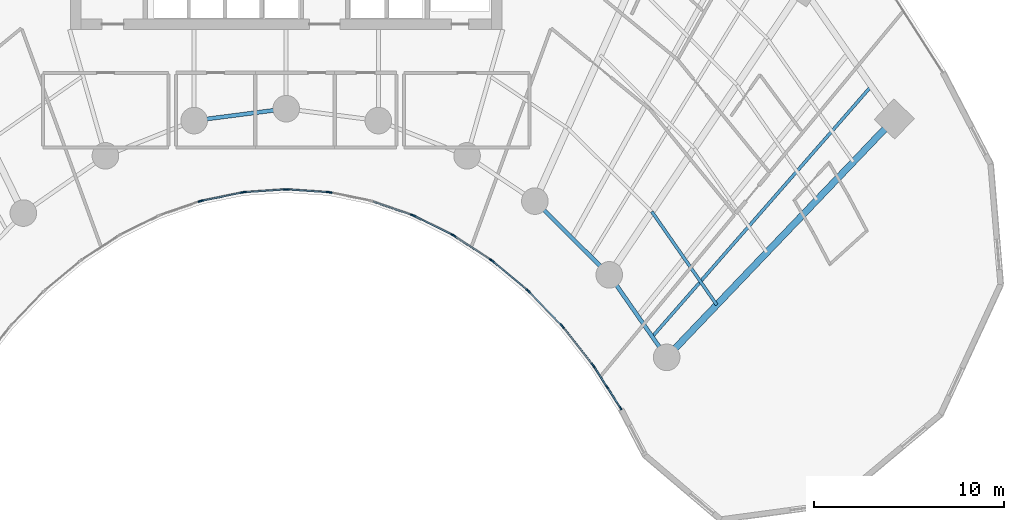
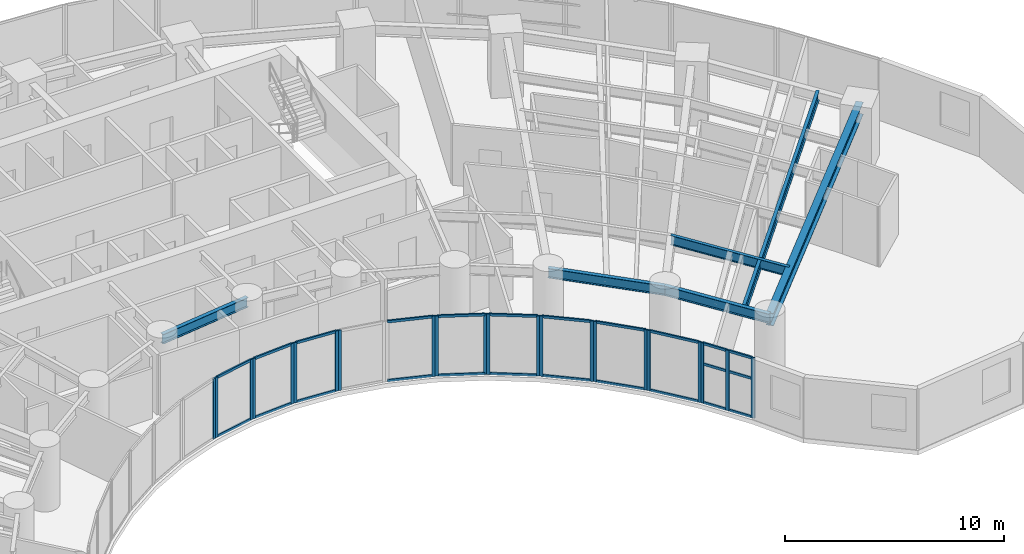
# One storey, part 4 of 17: 46 members, 6 beams, 12 elements without a shape of their own.
"""IFC4 building model written with IfcOpenShell, lengths in metres."""

from ifc_helpers import new_model, si_unit, direction, frame, origin, origin_2d, place, context, subcontext, project, spatial, rectangle, i_section, extrude, source, transform, mapped, material, layer, layer_set, material_profile, profile_set, type_object, type_shapes, element, aggregate, save


model = new_model("IFC4")

# Units and contexts
model_context = context("Model", 3, precision=1e-05, world=origin(), true_north=direction((0.0, 1.0)))
body_context = subcontext(model_context, "Body", "Model", "MODEL_VIEW")
ifc_project = project(units=[si_unit("LENGTHUNIT", "METRE"), si_unit("AREAUNIT", "SQUARE_METRE"), si_unit("VOLUMEUNIT", "CUBIC_METRE"), si_unit("PLANEANGLEUNIT", "RADIAN"), si_unit("MASSUNIT", "GRAM", prefix="KILO")], contexts=[model_context])

# Site, building, storey
site_placement = place(None, origin())
site = spatial("IfcSite", under=ifc_project, at=site_placement, CompositionType="ELEMENT")
building_placement = place(site_placement, origin())
building = spatial("IfcBuilding", under=site, at=building_placement, Name="Breltana Convention Tower", CompositionType="ELEMENT")
storey_placement = place(building_placement, frame((0.0, 0.0, 49.800048828125)))
storey = spatial("IfcBuildingStorey", under=building, at=storey_placement, Name="L10", CompositionType="ELEMENT", Elevation=49.800048828125)

# Beams
ifc_material_1 = material(Name="Steel ASTM A992 Grade 50", Category="steel")
ifc_material_profile_1 = material_profile(ifc_material_1, i_section(OverallWidth=0.35498046875, OverallDepth=0.696044921875, WebThickness=0.015380859375, FlangeThickness=0.02490234375, at=origin_2d()), Name="W27X146")
ifc_profile_set_1 = profile_set([ifc_material_profile_1], Name="Steel ASTM A992 Grade 50")
beam_type_1 = type_object("IfcBeamType", Name="BM-RG-W27X146", PredefinedType="USERDEFINED", material=ifc_profile_set_1)
shared_shape_1 = source(origin(), body_context, "Body", "SweptSolid", [
    extrude(i_section(OverallWidth=0.35498046875, OverallDepth=0.696044921875, WebThickness=0.015380859375, FlangeThickness=0.02490234375, at=origin_2d()), origin(), (0.0, 0.0, 1.0), 17.341064453125),
])
type_shapes(beam_type_1, [shared_shape_1])
beam_1_placement = place(storey_placement, frame((68.015380859375, 42.95458984375, 3.011962890625), z_axis=(0.690716462293, 0.723125693581, 0.0), x_axis=(-0.723125693581, 0.690716462293, 0.0)))
element("IfcBeam", 1, at=beam_1_placement, inside=storey, type_object=beam_type_1, Name="L10 Radial Floor Girder R11", ObjectType="GIRDER", PredefinedType="USERDEFINED", context=body_context, shape_type="MappedRepresentation", body=[
    mapped(shared_shape_1, transform((0.0, 0.0, 0.0), scale=1.0)),
])
ifc_material_profile_2 = material_profile(ifc_material_1, i_section(OverallWidth=0.2099609375, OverallDepth=0.537109375, WebThickness=0.010986328125, FlangeThickness=0.017333984375, at=origin_2d()), Name="W21X68")
ifc_profile_set_2 = profile_set([ifc_material_profile_2], Name="Steel ASTM A992 Grade 50")
beam_type_2 = type_object("IfcBeamType", Name="BM-BM-W21X68", PredefinedType="BEAM", material=ifc_profile_set_2)
shared_shape_2 = source(origin(), body_context, "Body", "SweptSolid", [
    extrude(i_section(OverallWidth=0.2099609375, OverallDepth=0.537109375, WebThickness=0.010986328125, FlangeThickness=0.017333984375, at=origin_2d()), origin(), (0.0, 0.0, 1.0), 4.88671875),
])
beam_2_placement = place(storey_placement, frame((43.153564453125, 55.41064453125, 3.091552734375), z_axis=(0.991780525565, 0.127950729231, 0.0), x_axis=(-0.127950729231, 0.991780525565, 0.0)))
element("IfcBeam", 2, at=beam_2_placement, inside=storey, type_object=beam_type_2, Name="L10 Inner Ring Beam 05", PredefinedType="BEAM", context=body_context, shape_type="MappedRepresentation", body=[
    mapped(shared_shape_2, transform((0.0, 0.0, 0.0), scale=1.0)),
])
shared_shape_3 = source(origin(), body_context, "Body", "SweptSolid", [
    extrude(i_section(OverallWidth=0.2099609375, OverallDepth=0.537109375, WebThickness=0.010986328125, FlangeThickness=0.017333984375, at=origin_2d()), origin(), (0.0, 0.0, 1.0), 5.51171875),
])
beam_3_placement = place(storey_placement, frame((61.08203125, 51.174560546875, 3.091552734375), z_axis=(0.710090360749, -0.704110559196, 0.0), x_axis=(0.704110559196, 0.710090360749, 0.0)))
element("IfcBeam", 3, at=beam_3_placement, inside=storey, type_object=beam_type_2, Name="L10 Inner Ring Beam 09", PredefinedType="BEAM", context=body_context, shape_type="MappedRepresentation", body=[
    mapped(shared_shape_3, transform((0.0, 0.0, 0.0), scale=1.0)),
])
shared_shape_4 = source(origin(), body_context, "Body", "SweptSolid", [
    extrude(i_section(OverallWidth=0.2099609375, OverallDepth=0.537109375, WebThickness=0.010986328125, FlangeThickness=0.017333984375, at=origin_2d()), origin(), (0.0, 0.0, 1.0), 5.286376953125),
])
beam_4_placement = place(storey_placement, frame((64.995849609375, 47.293701171875, 3.091552734375), z_axis=(0.571194382458, -0.82081482531, 0.0), x_axis=(0.82081482531, 0.571194382458, 0.0)))
element("IfcBeam", 4, at=beam_4_placement, inside=storey, type_object=beam_type_2, Name="L10 Inner Ring Beam 10", PredefinedType="BEAM", context=body_context, shape_type="MappedRepresentation", body=[
    mapped(shared_shape_4, transform((0.0, 0.0, 0.0), scale=1.0)),
])
ifc_material_profile_3 = material_profile(ifc_material_1, i_section(OverallWidth=0.166015625, OverallDepth=0.534912109375, WebThickness=0.01025390625, FlangeThickness=0.0166015625, at=origin_2d()), Name="W21X57")
ifc_profile_set_3 = profile_set([ifc_material_profile_3], Name="Steel ASTM A992 Grade 50")
beam_type_3 = type_object("IfcBeamType", Name="BM-JSG-05", PredefinedType="JOIST", material=ifc_profile_set_3)
shared_shape_5 = source(origin(), body_context, "Body", "SweptSolid", [
    extrude(i_section(OverallWidth=0.166015625, OverallDepth=0.534912109375, WebThickness=0.01025390625, FlangeThickness=0.0166015625, at=origin_2d()), origin(), (0.0, 0.0, 1.0), 5.982421875),
])
beam_5_placement = place(storey_placement, frame((67.2333984375, 50.623779296875, 3.092529296875), z_axis=(0.571211549446, -0.82080287876, 0.0), x_axis=(0.82080287876, 0.571211549446, 0.0)))
element("IfcBeam", 5, at=beam_5_placement, inside=storey, type_object=beam_type_3, Name="L10 Composite Floor Joist 10.1", PredefinedType="JOIST", context=body_context, shape_type="MappedRepresentation", body=[
    mapped(shared_shape_5, transform((0.0, 0.0, 0.0), scale=1.0)),
])
shared_shape_6 = source(origin(), body_context, "Body", "SweptSolid", [
    extrude(i_section(OverallWidth=0.166015625, OverallDepth=0.534912109375, WebThickness=0.01025390625, FlangeThickness=0.0166015625, at=origin_2d()), origin(), (0.0, 0.0, 1.0), 17.515625),
])
beam_6_placement = place(storey_placement, frame((67.260498046875, 44.03955078125, 3.092529296875), z_axis=(0.658051548324, 0.752972881151, 0.0), x_axis=(-0.752972881151, 0.658051548324, 0.0)))
element("IfcBeam", 6, at=beam_6_placement, inside=storey, type_object=beam_type_3, Name="L10 Quarter-Bay Radial Trimmer 10", PredefinedType="JOIST", context=body_context, shape_type="MappedRepresentation", body=[
    mapped(shared_shape_6, transform((0.0, 0.0, 0.0), scale=1.0)),
])

# Curtain wall, members
ifc_material_2 = material(Name="Aluminium Anodised Bronze Frame", Category="aluminium")
ifc_layer = layer(ifc_material_2, 0.18994140625, Name="Aluminium Anodised Bronze Frame")
ifc_layer_set = layer_set([ifc_layer], Name="Aluminium Anodised Bronze Frame")
curtain_wall_type = type_object("IfcCurtainWallType", Name="CW-SYS-1", PredefinedType="NOTDEFINED", material=ifc_layer_set)
curtain_wall_1_placement = place(storey_placement, origin())
curtain_wall_1 = element("IfcCurtainWall", 7, at=curtain_wall_1_placement, inside=storey, type_object=curtain_wall_type, Name="L10 inner south-court glazing 3", PredefinedType="NOTDEFINED")
ifc_material_3 = material(Name="Aluminium Anodised Bronze", Category="aluminium")
ifc_material_profile_4 = material_profile(ifc_material_3, rectangle(XDim=0.080078125, YDim=0.139892578125, at=origin_2d()), Name="CWT-80X140")
ifc_profile_set_4 = profile_set([ifc_material_profile_4], Name="Aluminium Anodised Bronze")
member_type_1 = type_object("IfcMemberType", Name="CWT-140", PredefinedType="USERDEFINED", material=ifc_profile_set_4)
shared_shape_7 = source(origin(), body_context, "Body", "SweptSolid", [
    extrude(rectangle(XDim=0.080078125, YDim=0.139892578125, at=origin_2d()), origin(), (0.0, 0.0, 1.0), 2.38720703125),
])
type_shapes(member_type_1, [shared_shape_7])
member_1_placement = place(storey_placement, frame((62.4560546875, 44.667724609375, 0.0400390625), z_axis=(-0.694623715393, 0.719373264734, 0.0), x_axis=(-0.719373264734, -0.694623715393, 0.0)))
member_1 = element("IfcMember", 8, at=member_1_placement, type_object=member_type_1, Name="CW-01 transom 1.1", ObjectType="TRANSOM", PredefinedType="USERDEFINED", context=body_context, shape_type="MappedRepresentation", body=[
    mapped(shared_shape_7, transform((0.0, 0.0, 0.0), scale=1.0)),
])
member_2_placement = place(storey_placement, frame((62.4560546875, 44.667724609375, 3.320068359375), z_axis=(-0.694623715393, 0.719373264734, 0.0), x_axis=(-0.719373264734, -0.694623715393, 0.0)))
member_2 = element("IfcMember", 9, at=member_2_placement, type_object=member_type_1, Name="CW-01 transom 1.2", ObjectType="TRANSOM", PredefinedType="USERDEFINED", context=body_context, shape_type="MappedRepresentation", body=[
    mapped(shared_shape_7, transform((0.0, 0.0, 0.0), scale=1.0)),
])

curtain_wall_2_placement = place(storey_placement, origin())
curtain_wall_2 = element("IfcCurtainWall", 10, at=curtain_wall_2_placement, inside=storey, type_object=curtain_wall_type, Name="L10 inner south-court glazing 4", PredefinedType="NOTDEFINED")
shared_shape_8 = source(origin(), body_context, "Body", "SweptSolid", [
    extrude(rectangle(XDim=0.080078125, YDim=0.139892578125, at=origin_2d()), origin(), (0.0, 0.0, 1.0), 2.312255859375),
])
member_3_placement = place(storey_placement, frame((60.666748046875, 46.5068359375, 0.0400390625), z_axis=(-0.767900974507, 0.640568570374, 0.0), x_axis=(-0.640568570374, -0.767900974507, 0.0)))
member_3 = element("IfcMember", 11, at=member_3_placement, type_object=member_type_1, Name="CW-01 transom 1.1", ObjectType="TRANSOM", PredefinedType="USERDEFINED", context=body_context, shape_type="MappedRepresentation", body=[
    mapped(shared_shape_8, transform((0.0, 0.0, 0.0), scale=1.0)),
])
member_4_placement = place(storey_placement, frame((60.666748046875, 46.5068359375, 3.320068359375), z_axis=(-0.767900974507, 0.640568570374, 0.0), x_axis=(-0.640568570374, -0.767900974507, 0.0)))
member_4 = element("IfcMember", 12, at=member_4_placement, type_object=member_type_1, Name="CW-01 transom 1.2", ObjectType="TRANSOM", PredefinedType="USERDEFINED", context=body_context, shape_type="MappedRepresentation", body=[
    mapped(shared_shape_8, transform((0.0, 0.0, 0.0), scale=1.0)),
])

curtain_wall_3_placement = place(storey_placement, origin())
curtain_wall_3 = element("IfcCurtainWall", 13, at=curtain_wall_3_placement, inside=storey, type_object=curtain_wall_type, Name="L10 inner south-court glazing 5", PredefinedType="NOTDEFINED")
shared_shape_9 = source(origin(), body_context, "Body", "SweptSolid", [
    extrude(rectangle(XDim=0.080078125, YDim=0.139892578125, at=origin_2d()), origin(), (0.0, 0.0, 1.0), 2.2421875),
])
member_5_placement = place(storey_placement, frame((58.746337890625, 48.095458984375, 0.0400390625), z_axis=(-0.835982353773, 0.548756324957, 0.0), x_axis=(-0.548756324957, -0.835982353773, 0.0)))
member_5 = element("IfcMember", 14, at=member_5_placement, type_object=member_type_1, Name="CW-01 transom 1.1", ObjectType="TRANSOM", PredefinedType="USERDEFINED", context=body_context, shape_type="MappedRepresentation", body=[
    mapped(shared_shape_9, transform((0.0, 0.0, 0.0), scale=1.0)),
])
member_6_placement = place(storey_placement, frame((58.746337890625, 48.095458984375, 3.320068359375), z_axis=(-0.835982353773, 0.548756324957, 0.0), x_axis=(-0.548756324957, -0.835982353773, 0.0)))
member_6 = element("IfcMember", 15, at=member_6_placement, type_object=member_type_1, Name="CW-01 transom 1.2", ObjectType="TRANSOM", PredefinedType="USERDEFINED", context=body_context, shape_type="MappedRepresentation", body=[
    mapped(shared_shape_9, transform((0.0, 0.0, 0.0), scale=1.0)),
])

curtain_wall_4_placement = place(storey_placement, origin())
curtain_wall_4 = element("IfcCurtainWall", 16, at=curtain_wall_4_placement, inside=storey, type_object=curtain_wall_type, Name="L10 inner south-court glazing 6", PredefinedType="NOTDEFINED")
shared_shape_10 = source(origin(), body_context, "Body", "SweptSolid", [
    extrude(rectangle(XDim=0.080078125, YDim=0.139892578125, at=origin_2d()), origin(), (0.0, 0.0, 1.0), 2.180908203125),
])
member_7_placement = place(storey_placement, frame((56.71435546875, 49.416015625, 0.0400390625), z_axis=(-0.895922266369, 0.444210865045, 0.0), x_axis=(-0.444210865045, -0.895922266369, 0.0)))
member_7 = element("IfcMember", 17, at=member_7_placement, type_object=member_type_1, Name="CW-01 transom 1.1", ObjectType="TRANSOM", PredefinedType="USERDEFINED", context=body_context, shape_type="MappedRepresentation", body=[
    mapped(shared_shape_10, transform((0.0, 0.0, 0.0), scale=1.0)),
])
member_8_placement = place(storey_placement, frame((56.71435546875, 49.416015625, 3.320068359375), z_axis=(-0.895922266369, 0.444210865045, 0.0), x_axis=(-0.444210865045, -0.895922266369, 0.0)))
member_8 = element("IfcMember", 18, at=member_8_placement, type_object=member_type_1, Name="CW-01 transom 1.2", ObjectType="TRANSOM", PredefinedType="USERDEFINED", context=body_context, shape_type="MappedRepresentation", body=[
    mapped(shared_shape_10, transform((0.0, 0.0, 0.0), scale=1.0)),
])

curtain_wall_5_placement = place(storey_placement, origin())
curtain_wall_5 = element("IfcCurtainWall", 19, at=curtain_wall_5_placement, inside=storey, type_object=curtain_wall_type, Name="L10 inner south-court glazing 9", PredefinedType="NOTDEFINED")
shared_shape_11 = source(origin(), body_context, "Body", "SweptSolid", [
    extrude(rectangle(XDim=0.080078125, YDim=0.139892578125, at=origin_2d()), origin(), (0.0, 0.0, 1.0), 2.07861328125),
])
member_9_placement = place(storey_placement, frame((50.165771484375, 51.6474609375, 0.0400390625), z_axis=(-0.997708627147, 0.067657189691, 0.0), x_axis=(-0.067657189691, -0.997708627147, 0.0)))
member_9 = element("IfcMember", 20, at=member_9_placement, type_object=member_type_1, Name="CW-01 transom 1.1", ObjectType="TRANSOM", PredefinedType="USERDEFINED", context=body_context, shape_type="MappedRepresentation", body=[
    mapped(shared_shape_11, transform((0.0, 0.0, 0.0), scale=1.0)),
])
member_10_placement = place(storey_placement, frame((50.165771484375, 51.6474609375, 3.320068359375), z_axis=(-0.997708627147, 0.067657189691, 0.0), x_axis=(-0.067657189691, -0.997708627147, 0.0)))
member_10 = element("IfcMember", 21, at=member_10_placement, type_object=member_type_1, Name="CW-01 transom 1.2", ObjectType="TRANSOM", PredefinedType="USERDEFINED", context=body_context, shape_type="MappedRepresentation", body=[
    mapped(shared_shape_11, transform((0.0, 0.0, 0.0), scale=1.0)),
])

curtain_wall_6_placement = place(storey_placement, origin())
curtain_wall_6 = element("IfcCurtainWall", 22, at=curtain_wall_6_placement, inside=storey, type_object=curtain_wall_type, Name="L10 inner south-court glazing 10", PredefinedType="NOTDEFINED")
member_11_placement = place(storey_placement, frame((47.907958984375, 51.7880859375, 0.0400390625), z_axis=(-0.997708627147, -0.067657189691, 0.0), x_axis=(0.067657189691, -0.997708627147, 0.0)))
member_11 = element("IfcMember", 23, at=member_11_placement, type_object=member_type_1, Name="CW-01 transom 1.1", ObjectType="TRANSOM", PredefinedType="USERDEFINED", context=body_context, shape_type="MappedRepresentation", body=[
    mapped(shared_shape_11, transform((0.0, 0.0, 0.0), scale=1.0)),
])
member_12_placement = place(storey_placement, frame((47.907958984375, 51.7880859375, 3.320068359375), z_axis=(-0.997708627147, -0.067657189691, 0.0), x_axis=(0.067657189691, -0.997708627147, 0.0)))
member_12 = element("IfcMember", 24, at=member_12_placement, type_object=member_type_1, Name="CW-01 transom 1.2", ObjectType="TRANSOM", PredefinedType="USERDEFINED", context=body_context, shape_type="MappedRepresentation", body=[
    mapped(shared_shape_11, transform((0.0, 0.0, 0.0), scale=1.0)),
])

curtain_wall_7_placement = place(storey_placement, origin())
curtain_wall_7 = element("IfcCurtainWall", 25, at=curtain_wall_7_placement, inside=storey, type_object=curtain_wall_type, Name="L10 inner south-court glazing 2", PredefinedType="NOTDEFINED")
shared_shape_12 = source(origin(), body_context, "Body", "SweptSolid", [
    extrude(rectangle(XDim=0.080078125, YDim=0.139892578125, at=origin_2d()), origin(), (0.0, 0.0, 1.0), 2.4638671875),
])
member_13_placement = place(storey_placement, frame((64.09619140625, 42.5966796875, 0.0400390625), z_axis=(-0.618184689608, 0.786032880695, 0.0), x_axis=(-0.786032880695, -0.618184689608, 0.0)))
member_13 = element("IfcMember", 26, at=member_13_placement, type_object=member_type_1, Name="CW-01 transom 1.1", ObjectType="TRANSOM", PredefinedType="USERDEFINED", context=body_context, shape_type="MappedRepresentation", body=[
    mapped(shared_shape_12, transform((0.0, 0.0, 0.0), scale=1.0)),
])
member_14_placement = place(storey_placement, frame((64.09619140625, 42.5966796875, 3.320068359375), z_axis=(-0.618184689608, 0.786032880695, 0.0), x_axis=(-0.786032880695, -0.618184689608, 0.0)))
member_14 = element("IfcMember", 27, at=member_14_placement, type_object=member_type_1, Name="CW-01 transom 1.2", ObjectType="TRANSOM", PredefinedType="USERDEFINED", context=body_context, shape_type="MappedRepresentation", body=[
    mapped(shared_shape_12, transform((0.0, 0.0, 0.0), scale=1.0)),
])

curtain_wall_8_placement = place(storey_placement, origin())
curtain_wall_8 = element("IfcCurtainWall", 28, at=curtain_wall_8_placement, inside=storey, type_object=curtain_wall_type, Name="L10 inner south-court glazing 1", PredefinedType="NOTDEFINED")
shared_shape_13 = source(origin(), body_context, "Body", "SweptSolid", [
    extrude(rectangle(XDim=0.080078125, YDim=0.139892578125, at=origin_2d()), origin(), (0.0, 0.0, 1.0), 1.229736328125),
])
member_15_placement = place(storey_placement, frame((65.57080078125, 40.315185546875, 0.0400390625), z_axis=(-0.540185543357, 0.841545945714, 0.0), x_axis=(-0.841545945714, -0.540185543357, 0.0)))
member_15 = element("IfcMember", 29, at=member_15_placement, type_object=member_type_1, Name="CW-01 transom 1.1", ObjectType="TRANSOM", PredefinedType="USERDEFINED", context=body_context, shape_type="MappedRepresentation", body=[
    mapped(shared_shape_13, transform((0.0, 0.0, 0.0), scale=1.0)),
])
member_16_placement = place(storey_placement, frame((65.57080078125, 40.315185546875, 2.183837890625), z_axis=(-0.540185543357, 0.841545945714, 0.0), x_axis=(-0.841545945714, -0.540185543357, 0.0)))
member_16 = element("IfcMember", 30, at=member_16_placement, type_object=member_type_1, Name="CW-01 transom 1.2", ObjectType="TRANSOM", PredefinedType="USERDEFINED", context=body_context, shape_type="MappedRepresentation", body=[
    mapped(shared_shape_13, transform((0.0, 0.0, 0.0), scale=1.0)),
])
member_17_placement = place(storey_placement, frame((65.57080078125, 40.315185546875, 3.320068359375), z_axis=(-0.540185543357, 0.841545945714, 0.0), x_axis=(-0.841545945714, -0.540185543357, 0.0)))
member_17 = element("IfcMember", 31, at=member_17_placement, type_object=member_type_1, Name="CW-01 transom 1.3", ObjectType="TRANSOM", PredefinedType="USERDEFINED", context=body_context, shape_type="MappedRepresentation", body=[
    mapped(shared_shape_13, transform((0.0, 0.0, 0.0), scale=1.0)),
])
member_18_placement = place(storey_placement, frame((64.86328125, 41.41748046875, 0.0400390625), z_axis=(-0.540185543357, 0.841545945714, 0.0), x_axis=(-0.841545945714, -0.540185543357, 0.0)))
member_18 = element("IfcMember", 32, at=member_18_placement, type_object=member_type_1, Name="CW-01 transom 2.1", ObjectType="TRANSOM", PredefinedType="USERDEFINED", context=body_context, shape_type="MappedRepresentation", body=[
    mapped(shared_shape_13, transform((0.0, 0.0, 0.0), scale=1.0)),
])
member_19_placement = place(storey_placement, frame((64.86328125, 41.41748046875, 2.183837890625), z_axis=(-0.540185543357, 0.841545945714, 0.0), x_axis=(-0.841545945714, -0.540185543357, 0.0)))
member_19 = element("IfcMember", 33, at=member_19_placement, type_object=member_type_1, Name="CW-01 transom 2.2", ObjectType="TRANSOM", PredefinedType="USERDEFINED", context=body_context, shape_type="MappedRepresentation", body=[
    mapped(shared_shape_13, transform((0.0, 0.0, 0.0), scale=1.0)),
])
member_20_placement = place(storey_placement, frame((64.86328125, 41.41748046875, 3.320068359375), z_axis=(-0.540185543357, 0.841545945714, 0.0), x_axis=(-0.841545945714, -0.540185543357, 0.0)))
member_20 = element("IfcMember", 34, at=member_20_placement, type_object=member_type_1, Name="CW-01 transom 2.3", ObjectType="TRANSOM", PredefinedType="USERDEFINED", context=body_context, shape_type="MappedRepresentation", body=[
    mapped(shared_shape_13, transform((0.0, 0.0, 0.0), scale=1.0)),
])

curtain_wall_9_placement = place(storey_placement, origin())
curtain_wall_9 = element("IfcCurtainWall", 35, at=curtain_wall_9_placement, inside=storey, type_object=curtain_wall_type, Name="L10 inner south-court glazing 7", PredefinedType="NOTDEFINED")
shared_shape_14 = source(origin(), body_context, "Body", "SweptSolid", [
    extrude(rectangle(XDim=0.080078125, YDim=0.139892578125, at=origin_2d()), origin(), (0.0, 0.0, 1.0), 2.131103515625),
])
member_21_placement = place(storey_placement, frame((54.592041015625, 50.455078125, 0.0400390625), z_axis=(-0.944847069856, 0.327511854112, 0.0), x_axis=(-0.327511854112, -0.944847069856, 0.0)))
member_21 = element("IfcMember", 36, at=member_21_placement, type_object=member_type_1, Name="CW-01 transom 1.1", ObjectType="TRANSOM", PredefinedType="USERDEFINED", context=body_context, shape_type="MappedRepresentation", body=[
    mapped(shared_shape_14, transform((0.0, 0.0, 0.0), scale=1.0)),
])
member_22_placement = place(storey_placement, frame((54.592041015625, 50.455078125, 3.320068359375), z_axis=(-0.944847069856, 0.327511854112, 0.0), x_axis=(-0.327511854112, -0.944847069856, 0.0)))
member_22 = element("IfcMember", 37, at=member_22_placement, type_object=member_type_1, Name="CW-01 transom 1.2", ObjectType="TRANSOM", PredefinedType="USERDEFINED", context=body_context, shape_type="MappedRepresentation", body=[
    mapped(shared_shape_14, transform((0.0, 0.0, 0.0), scale=1.0)),
])

curtain_wall_10_placement = place(storey_placement, origin())
curtain_wall_10 = element("IfcCurtainWall", 38, at=curtain_wall_10_placement, inside=storey, type_object=curtain_wall_type, Name="L10 inner south-court glazing 11", PredefinedType="NOTDEFINED")
shared_shape_15 = source(origin(), body_context, "Body", "SweptSolid", [
    extrude(rectangle(XDim=0.080078125, YDim=0.139892578125, at=origin_2d()), origin(), (0.0, 0.0, 1.0), 2.096435546875),
])
member_23_placement = place(storey_placement, frame((45.652099609375, 51.62255859375, 0.0400390625), z_axis=(-0.979615042233, -0.200883969074, 0.0), x_axis=(0.200883969074, -0.979615042233, 0.0)))
member_23 = element("IfcMember", 39, at=member_23_placement, type_object=member_type_1, Name="CW-01 transom 1.1", ObjectType="TRANSOM", PredefinedType="USERDEFINED", context=body_context, shape_type="MappedRepresentation", body=[
    mapped(shared_shape_15, transform((0.0, 0.0, 0.0), scale=1.0)),
])
member_24_placement = place(storey_placement, frame((45.652099609375, 51.62255859375, 3.320068359375), z_axis=(-0.979615042233, -0.200883969074, 0.0), x_axis=(0.200883969074, -0.979615042233, 0.0)))
member_24 = element("IfcMember", 40, at=member_24_placement, type_object=member_type_1, Name="CW-01 transom 1.2", ObjectType="TRANSOM", PredefinedType="USERDEFINED", context=body_context, shape_type="MappedRepresentation", body=[
    mapped(shared_shape_15, transform((0.0, 0.0, 0.0), scale=1.0)),
])

# Member
ifc_material_profile_5 = material_profile(ifc_material_3, rectangle(XDim=0.080078125, YDim=0.199951171875, at=origin_2d()), Name="CWM-80X200")
ifc_profile_set_5 = profile_set([ifc_material_profile_5], Name="Aluminium Anodised Bronze")
member_type_2 = type_object("IfcMemberType", Name="CWM-200", PredefinedType="MULLION", material=ifc_profile_set_5)
shared_shape_16 = source(origin(), body_context, "Body", "SweptSolid", [
    extrude(rectangle(XDim=0.080078125, YDim=0.199951171875, at=origin_2d()), origin(), (0.0, 0.0, 1.0), 3.35986328125),
])
member_25_placement = place(storey_placement, frame((65.59228515625, 40.281494140625, 0.0), z_axis=(0.0, 0.0, 1.0), x_axis=(-0.841556194767, -0.540169576197, 0.0)))
member_25 = element("IfcMember", 41, at=member_25_placement, type_object=member_type_2, Name="CW-01 mullion 1", PredefinedType="MULLION", context=body_context, shape_type="MappedRepresentation", body=[
    mapped(shared_shape_16, transform((0.0, 0.0, 0.0), scale=1.0)),
])

member_26_placement = place(storey_placement, frame((64.884765625, 41.3837890625, 0.0), z_axis=(0.0, 0.0, 1.0), x_axis=(-0.841556194767, -0.540169576197, 0.0)))
member_26 = element("IfcMember", 42, at=member_26_placement, type_object=member_type_2, Name="CW-01 mullion 2", PredefinedType="MULLION", context=body_context, shape_type="MappedRepresentation", body=[
    mapped(shared_shape_16, transform((0.0, 0.0, 0.0), scale=1.0)),
])

member_27_placement = place(storey_placement, frame((64.17724609375, 42.48583984375, 0.0), z_axis=(0.0, 0.0, 1.0), x_axis=(-0.841556194767, -0.540169576197, 0.0)))
member_27 = element("IfcMember", 43, at=member_27_placement, type_object=member_type_2, Name="CW-01 mullion 3", PredefinedType="MULLION", context=body_context, shape_type="MappedRepresentation", body=[
    mapped(shared_shape_16, transform((0.0, 0.0, 0.0), scale=1.0)),
])

aggregate(curtain_wall_8, [member_25, member_26, member_27, member_15, member_16, member_17, member_18, member_19, member_20])

member_28_placement = place(storey_placement, frame((64.12109375, 42.565185546875, 0.0), z_axis=(0.0, 0.0, 1.0), x_axis=(-0.786057762734, -0.61815305034, 0.0)))
member_28 = element("IfcMember", 44, at=member_28_placement, type_object=member_type_2, Name="CW-01 mullion 1", PredefinedType="MULLION", context=body_context, shape_type="MappedRepresentation", body=[
    mapped(shared_shape_16, transform((0.0, 0.0, 0.0), scale=1.0)),
])

member_29_placement = place(storey_placement, frame((62.54833984375, 44.56494140625, 0.0), z_axis=(0.0, 0.0, 1.0), x_axis=(-0.786057762734, -0.61815305034, 0.0)))
member_29 = element("IfcMember", 45, at=member_29_placement, type_object=member_type_2, Name="CW-01 mullion 2", PredefinedType="MULLION", context=body_context, shape_type="MappedRepresentation", body=[
    mapped(shared_shape_16, transform((0.0, 0.0, 0.0), scale=1.0)),
])

aggregate(curtain_wall_7, [member_28, member_29, member_13, member_14])

member_30_placement = place(storey_placement, frame((62.48388671875, 44.638916015625, 0.0), z_axis=(0.0, 0.0, 1.0), x_axis=(-0.719384548773, -0.694612029111, 0.0)))
member_30 = element("IfcMember", 46, at=member_30_placement, type_object=member_type_2, Name="CW-01 mullion 1", PredefinedType="MULLION", context=body_context, shape_type="MappedRepresentation", body=[
    mapped(shared_shape_16, transform((0.0, 0.0, 0.0), scale=1.0)),
])

member_31_placement = place(storey_placement, frame((60.77001953125, 46.413818359375, 0.0), z_axis=(0.0, 0.0, 1.0), x_axis=(-0.719384548773, -0.694612029111, 0.0)))
member_31 = element("IfcMember", 47, at=member_31_placement, type_object=member_type_2, Name="CW-01 mullion 2", PredefinedType="MULLION", context=body_context, shape_type="MappedRepresentation", body=[
    mapped(shared_shape_16, transform((0.0, 0.0, 0.0), scale=1.0)),
])

aggregate(curtain_wall_1, [member_30, member_31, member_1, member_2])

member_32_placement = place(storey_placement, frame((60.697265625, 46.481201171875, 0.0), z_axis=(0.0, 0.0, 1.0), x_axis=(-0.640522524458, -0.767939382804, 0.0)))
member_32 = element("IfcMember", 48, at=member_32_placement, type_object=member_type_2, Name="CW-01 mullion 1", PredefinedType="MULLION", context=body_context, shape_type="MappedRepresentation", body=[
    mapped(shared_shape_16, transform((0.0, 0.0, 0.0), scale=1.0)),
])

member_33_placement = place(storey_placement, frame((58.8603515625, 48.013671875, 0.0), z_axis=(0.0, 0.0, 1.0), x_axis=(-0.640522524458, -0.767939382804, 0.0)))
member_33 = element("IfcMember", 49, at=member_33_placement, type_object=member_type_2, Name="CW-01 mullion 2", PredefinedType="MULLION", context=body_context, shape_type="MappedRepresentation", body=[
    mapped(shared_shape_16, transform((0.0, 0.0, 0.0), scale=1.0)),
])

aggregate(curtain_wall_2, [member_32, member_33, member_3, member_4])

member_34_placement = place(storey_placement, frame((58.779541015625, 48.073486328125, 0.0), z_axis=(0.0, 0.0, 1.0), x_axis=(-0.548778278441, -0.835967942634, 0.0)))
member_34 = element("IfcMember", 50, at=member_34_placement, type_object=member_type_2, Name="CW-01 mullion 1", PredefinedType="MULLION", context=body_context, shape_type="MappedRepresentation", body=[
    mapped(shared_shape_16, transform((0.0, 0.0, 0.0), scale=1.0)),
])

member_35_placement = place(storey_placement, frame((56.83837890625, 49.347900390625, 0.0), z_axis=(0.0, 0.0, 1.0), x_axis=(-0.548778278441, -0.835967942634, 0.0)))
member_35 = element("IfcMember", 51, at=member_35_placement, type_object=member_type_2, Name="CW-01 mullion 2", PredefinedType="MULLION", context=body_context, shape_type="MappedRepresentation", body=[
    mapped(shared_shape_16, transform((0.0, 0.0, 0.0), scale=1.0)),
])

aggregate(curtain_wall_3, [member_34, member_35, member_5, member_6])

member_36_placement = place(storey_placement, frame((56.750244140625, 49.3984375, 0.0), z_axis=(0.0, 0.0, 1.0), x_axis=(-0.444117987602, -0.895968310315, 0.0)))
member_36 = element("IfcMember", 52, at=member_36_placement, type_object=member_type_2, Name="CW-01 mullion 1", PredefinedType="MULLION", context=body_context, shape_type="MappedRepresentation", body=[
    mapped(shared_shape_16, transform((0.0, 0.0, 0.0), scale=1.0)),
])

member_37_placement = place(storey_placement, frame((54.724609375, 50.40234375, 0.0), z_axis=(0.0, 0.0, 1.0), x_axis=(-0.444117987602, -0.895968310315, 0.0)))
member_37 = element("IfcMember", 53, at=member_37_placement, type_object=member_type_2, Name="CW-01 mullion 2", PredefinedType="MULLION", context=body_context, shape_type="MappedRepresentation", body=[
    mapped(shared_shape_16, transform((0.0, 0.0, 0.0), scale=1.0)),
])

aggregate(curtain_wall_4, [member_36, member_37, member_7, member_8])

member_38_placement = place(storey_placement, frame((54.6298828125, 50.442138671875, 0.0), z_axis=(0.0, 0.0, 1.0), x_axis=(-0.327413341714, -0.944881211406, 0.0)))
member_38 = element("IfcMember", 54, at=member_38_placement, type_object=member_type_2, Name="CW-01 mullion 1", PredefinedType="MULLION", context=body_context, shape_type="MappedRepresentation", body=[
    mapped(shared_shape_16, transform((0.0, 0.0, 0.0), scale=1.0)),
])

aggregate(curtain_wall_9, [member_38, member_21, member_22])

# Curtain wall, member
curtain_wall_11_placement = place(storey_placement, origin())
curtain_wall_11 = element("IfcCurtainWall", 55, at=curtain_wall_11_placement, inside=storey, type_object=curtain_wall_type, Name="L10 inner south-court glazing 8", PredefinedType="NOTDEFINED")
member_39_placement = place(storey_placement, frame((50.30859375, 51.630615234375, 0.0), z_axis=(0.0, 0.0, 1.0), x_axis=(-0.200886350278, -0.97961455393, 0.0)))
member_39 = element("IfcMember", 56, at=member_39_placement, type_object=member_type_2, Name="CW-01 mullion 2", PredefinedType="MULLION", context=body_context, shape_type="MappedRepresentation", body=[
    mapped(shared_shape_16, transform((0.0, 0.0, 0.0), scale=1.0)),
])
aggregate(curtain_wall_11, [member_39])

# Member
member_40_placement = place(storey_placement, frame((50.20556640625, 51.644775390625, 0.0), z_axis=(0.0, 0.0, 1.0), x_axis=(-0.067725752326, -0.997703975371, 0.0)))
member_40 = element("IfcMember", 57, at=member_40_placement, type_object=member_type_2, Name="CW-01 mullion 1", PredefinedType="MULLION", context=body_context, shape_type="MappedRepresentation", body=[
    mapped(shared_shape_16, transform((0.0, 0.0, 0.0), scale=1.0)),
])

member_41_placement = place(storey_placement, frame((48.052001953125, 51.790771484375, 0.0), z_axis=(0.0, 0.0, 1.0), x_axis=(-0.067725752326, -0.997703975371, 0.0)))
member_41 = element("IfcMember", 58, at=member_41_placement, type_object=member_type_2, Name="CW-01 mullion 2", PredefinedType="MULLION", context=body_context, shape_type="MappedRepresentation", body=[
    mapped(shared_shape_16, transform((0.0, 0.0, 0.0), scale=1.0)),
])

aggregate(curtain_wall_5, [member_40, member_41, member_9, member_10])

member_42_placement = place(storey_placement, frame((47.947998046875, 51.790771484375, 0.0), z_axis=(0.0, 0.0, 1.0), x_axis=(0.067725752326, -0.997703975371, 0.0)))
member_42 = element("IfcMember", 59, at=member_42_placement, type_object=member_type_2, Name="CW-01 mullion 1", PredefinedType="MULLION", context=body_context, shape_type="MappedRepresentation", body=[
    mapped(shared_shape_16, transform((0.0, 0.0, 0.0), scale=1.0)),
])

member_43_placement = place(storey_placement, frame((45.79443359375, 51.644775390625, 0.0), z_axis=(0.0, 0.0, 1.0), x_axis=(0.067725752326, -0.997703975371, 0.0)))
member_43 = element("IfcMember", 60, at=member_43_placement, type_object=member_type_2, Name="CW-01 mullion 2", PredefinedType="MULLION", context=body_context, shape_type="MappedRepresentation", body=[
    mapped(shared_shape_16, transform((0.0, 0.0, 0.0), scale=1.0)),
])

aggregate(curtain_wall_6, [member_42, member_43, member_11, member_12])

member_44_placement = place(storey_placement, frame((45.69140625, 51.630615234375, 0.0), z_axis=(0.0, 0.0, 1.0), x_axis=(0.200886350278, -0.97961455393, 0.0)))
member_44 = element("IfcMember", 61, at=member_44_placement, type_object=member_type_2, Name="CW-01 mullion 1", PredefinedType="MULLION", context=body_context, shape_type="MappedRepresentation", body=[
    mapped(shared_shape_16, transform((0.0, 0.0, 0.0), scale=1.0)),
])

member_45_placement = place(storey_placement, frame((43.55908203125, 51.193359375, 0.0), z_axis=(0.0, 0.0, 1.0), x_axis=(0.200886350278, -0.97961455393, 0.0)))
member_45 = element("IfcMember", 62, at=member_45_placement, type_object=member_type_2, Name="CW-01 mullion 2", PredefinedType="MULLION", context=body_context, shape_type="MappedRepresentation", body=[
    mapped(shared_shape_16, transform((0.0, 0.0, 0.0), scale=1.0)),
])

aggregate(curtain_wall_10, [member_44, member_45, member_23, member_24])

# Curtain wall, member
curtain_wall_12_placement = place(storey_placement, origin())
curtain_wall_12 = element("IfcCurtainWall", 63, at=curtain_wall_12_placement, inside=storey, type_object=curtain_wall_type, Name="L10 inner south-court glazing 12", PredefinedType="NOTDEFINED")
member_46_placement = place(storey_placement, frame((43.45947265625, 51.166015625, 0.0), z_axis=(0.0, 0.0, 1.0), x_axis=(0.327413341714, -0.944881211406, 0.0)))
member_46 = element("IfcMember", 64, at=member_46_placement, type_object=member_type_2, Name="CW-01 mullion 1", PredefinedType="MULLION", context=body_context, shape_type="MappedRepresentation", body=[
    mapped(shared_shape_16, transform((0.0, 0.0, 0.0), scale=1.0)),
])
aggregate(curtain_wall_12, [member_46])

save(model, "model.ifc")
